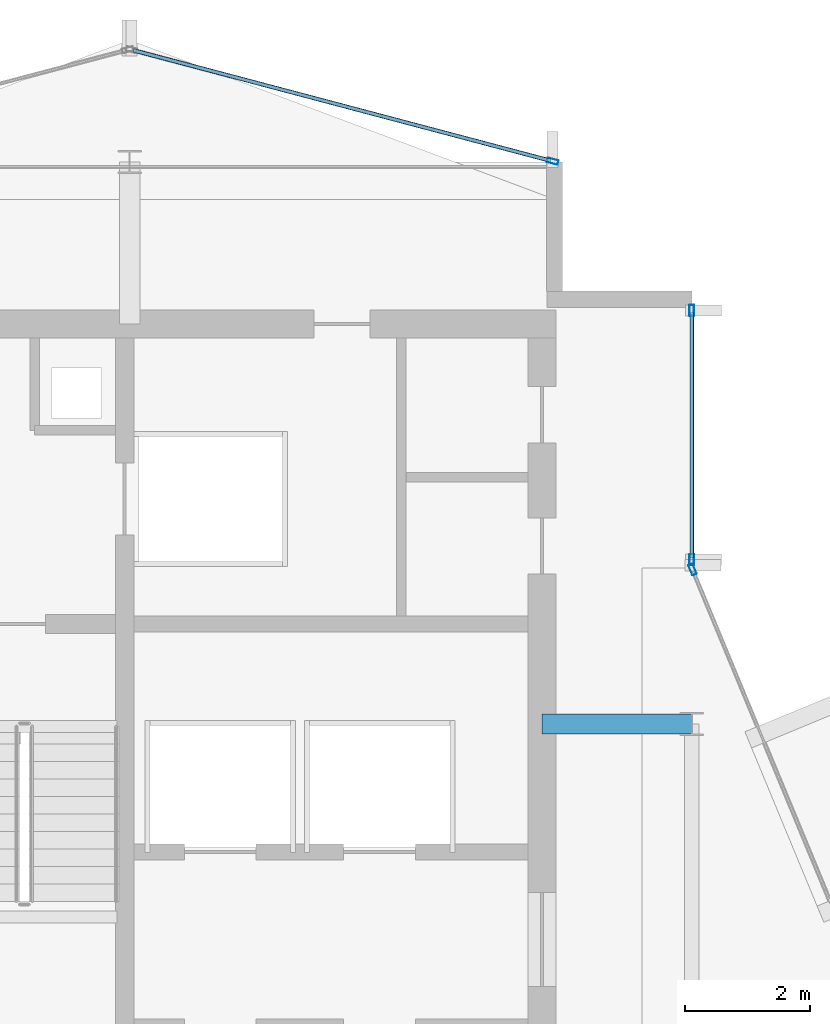
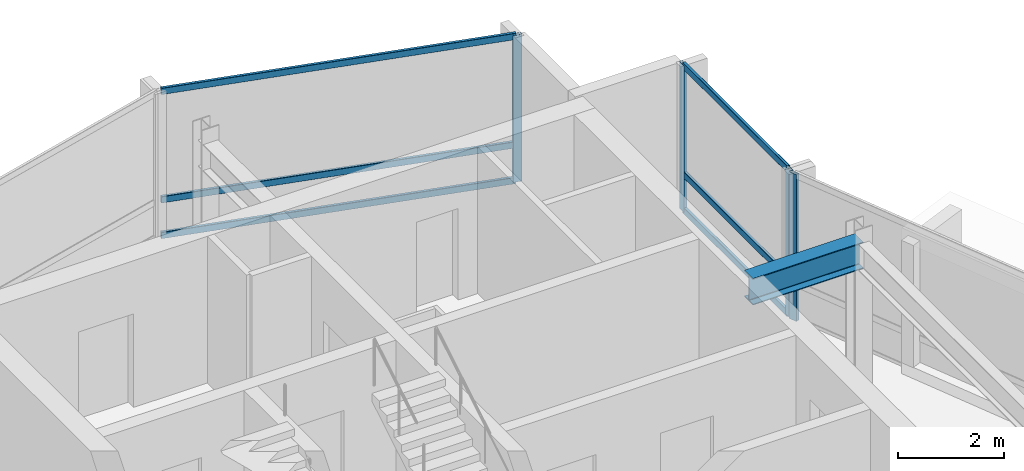
# One storey, part 12 of 19: 10 members, 1 beam, 3 elements without a shape of their own.
"""IFC4 building model written with IfcOpenShell, lengths in metres."""

import ifcopenshell
import ifcopenshell.guid

model = None  # the IFC model being written
_history = None  # IfcOwnerHistory: only IFC2X3 demands one
_inside = {}  # id of a spatial element -> (the spatial element, [elements in it])
_under = {}  # id of a project, library or spatial element -> (it, [spatial elements below it])
_declared = {}  # id of a project -> (the project, [libraries it declares])
_typed = {}  # id of a type object -> (the type object, [elements of that type])
_made_of = {}  # id of a material, layer set ... -> (it, [elements and type objects made of it])


def new_model(schema):
    """Start an empty IFC model of exactly this schema.

    Asked for "IFC4X3", IfcOpenShell would pick the latest addendum, in which some entities
    have other attributes; the version numbers below select the first issue.
    IFC2X3 requires an IfcOwnerHistory on every rooted entity: one is made here for all.
    """
    global model, _history
    if schema == "IFC4X3":
        model = ifcopenshell.file(schema_version=(4, 3, 0, 0))
    else:
        model = ifcopenshell.file(schema=schema)
    _inside.clear()
    _under.clear()
    _declared.clear()
    _typed.clear()
    _made_of.clear()
    _history = None
    if model.schema == "IFC2X3":
        org = make("IfcOrganization", Name="unknown")
        user = make(
            "IfcPersonAndOrganization",
            ThePerson=make("IfcPerson", FamilyName="unknown"),
            TheOrganization=org,
        )
        app = make(
            "IfcApplication",
            ApplicationDeveloper=org,
            Version="unknown",
            ApplicationFullName="unknown",
            ApplicationIdentifier="unknown",
        )
        _history = make(
            "IfcOwnerHistory",
            OwningUser=user,
            OwningApplication=app,
            ChangeAction="ADDED",
            CreationDate=0,
        )
    return model


def make(cls, **values):
    """One entity of the class cls with the attributes given. An attribute that is None is left unset."""
    return model.create_entity(
        cls, **{name: value for name, value in values.items() if value is not None}
    )


def rooted(cls, **values):
    """An entity with a GlobalId (a new one), such as an element, a storey or a relation."""
    return make(cls, GlobalId=ifcopenshell.guid.new(), OwnerHistory=_history, **values)


def si_unit(unit_type, name, prefix=None):
    """IfcSIUnit, for example si_unit("LENGTHUNIT", "METRE", prefix="MILLI")."""
    return make("IfcSIUnit", UnitType=unit_type, Prefix=prefix, Name=name)


def assignment(units):
    """IfcUnitAssignment: the units of a project."""
    return None if units is None else make("IfcUnitAssignment", Units=units)


def point(xyz):
    """IfcCartesianPoint."""
    return None if xyz is None else make("IfcCartesianPoint", Coordinates=xyz)


def direction(xyz):
    """IfcDirection."""
    return None if xyz is None else make("IfcDirection", DirectionRatios=xyz)


def frame(location, z_axis=None, x_axis=None):
    """IfcAxis2Placement3D, a coordinate frame: its origin and axes. An axis left out is left unset."""
    return make(
        "IfcAxis2Placement3D",
        Location=point(location),
        Axis=direction(z_axis),
        RefDirection=direction(x_axis),
    )


def frame_2d(location, x_axis=None):
    """IfcAxis2Placement2D, a coordinate frame in the plane: its origin and x axis."""
    return make(
        "IfcAxis2Placement2D", Location=point(location), RefDirection=direction(x_axis)
    )


def origin():
    """The frame at (0, 0, 0) with its axes left unset."""
    return frame((0.0, 0.0, 0.0))


def origin_2d():
    """The frame at (0, 0) in the plane with its x axis left unset."""
    return frame_2d((0.0, 0.0))


def place(relative_to, where):
    """IfcLocalPlacement: puts the frame where relative to a parent placement (None: the world)."""
    return make(
        "IfcLocalPlacement", PlacementRelTo=relative_to, RelativePlacement=where
    )


def context(
    kind, dimensions, precision=None, world=None, true_north=None, identifier=None
):
    """IfcGeometricRepresentationContext, for example the 3D "Model" context."""
    return make(
        "IfcGeometricRepresentationContext",
        ContextIdentifier=identifier,
        ContextType=kind,
        CoordinateSpaceDimension=dimensions,
        Precision=precision,
        WorldCoordinateSystem=world,
        TrueNorth=true_north,
    )


def subcontext(parent, identifier, kind, view, scale=None):
    """IfcGeometricRepresentationSubContext, for example "Body" below "Model"."""
    return make(
        "IfcGeometricRepresentationSubContext",
        ContextIdentifier=identifier,
        ContextType=kind,
        ParentContext=parent,
        TargetScale=scale,
        TargetView=view,
    )


def project(units=None, contexts=None):
    """IfcProject with its units and contexts."""
    return rooted(
        "IfcProject",
        Name="project",
        RepresentationContexts=contexts,
        UnitsInContext=assignment(units),
    )


def spatial(cls, under=None, at=None, **own):
    """A site, building, storey or space (cls), placed at a placement, below another one or the project."""
    s = rooted(cls, ObjectPlacement=at, **own)
    if under is not None:
        _under.setdefault(under.id(), (under, []))[1].append(s)
    return s


def profile(cls, at=None, kind="AREA", **sizes):
    """A parametric profile (cls). Its sizes go by their IFC names, for example OverallWidth=200.0."""
    return make(cls, ProfileType=kind, Position=at, **sizes)


def hollow_rectangle(**sizes):
    """IfcRectangleHollowProfileDef."""
    return profile("IfcRectangleHollowProfileDef", **sizes)


def i_section(**sizes):
    """IfcIShapeProfileDef."""
    return profile("IfcIShapeProfileDef", **sizes)


def extrude(swept, where, along, depth):
    """IfcExtrudedAreaSolid: the profile swept, set in the frame where, extruded along a direction by depth."""
    return make(
        "IfcExtrudedAreaSolid",
        SweptArea=swept,
        Position=where,
        ExtrudedDirection=direction(along),
        Depth=depth,
    )


def shape(context_of_items, identifier, shape_type, items):
    """IfcShapeRepresentation: the items that make up one representation, for example the "Body"."""
    return make(
        "IfcShapeRepresentation",
        ContextOfItems=context_of_items,
        RepresentationIdentifier=identifier,
        RepresentationType=shape_type,
        Items=items,
    )


def material(Name=None, Category=None):
    """IfcMaterial."""
    return make("IfcMaterial", Name=Name, Category=Category)


def layer(
    of_material, thickness, ventilated=None, Name=None, Category=None, Priority=None
):
    """IfcMaterialLayer: one layer of a wall or slab, of a material (None: an air gap)."""
    return make(
        "IfcMaterialLayer",
        Material=of_material,
        LayerThickness=thickness,
        IsVentilated=ventilated,
        Name=Name,
        Category=Category,
        Priority=Priority,
    )


def layer_set(layers, Name=None):
    """IfcMaterialLayerSet."""
    return make("IfcMaterialLayerSet", MaterialLayers=layers, LayerSetName=Name)


def material_profile(
    of_material, cross_section, Name=None, Category=None, Priority=None
):
    """IfcMaterialProfile: a cross section and its material."""
    return make(
        "IfcMaterialProfile",
        Name=Name,
        Material=of_material,
        Profile=cross_section,
        Priority=Priority,
        Category=Category,
    )


def profile_set(profiles, Name=None, composite=None):
    """IfcMaterialProfileSet."""
    return make(
        "IfcMaterialProfileSet",
        Name=Name,
        MaterialProfiles=profiles,
        CompositeProfile=composite,
    )


def made_of(thing, what):
    """Note that an element or type object is made of a material, layer set ...; save() writes the relation."""
    if what is not None:
        _made_of.setdefault(what.id(), (what, []))[1].append(thing)
    return thing


def type_object(cls, material=None, **own):
    """A type object (cls), such as IfcWallType, which elements share."""
    return made_of(rooted(cls, **own), material)


def element(
    cls,
    number,
    at=None,
    inside=None,
    cuts=None,
    type_object=None,
    material=None,
    context=None,
    identifier="Body",
    shape_type=None,
    held_by="IfcProductDefinitionShape",
    body=None,
    shapes=None,
    **own,
):
    """One element of the class cls, such as IfcWall. Its Tag is "e" and its number.

    at: its placement. inside: the storey or other place that contains it. cuts: it is an
    opening in that element (IfcRelVoidsElement). A single representation is given by context,
    identifier, shape_type and body (its items); several are given by shapes. held_by: the class
    of the entity that holds the representations. save() writes the other relations.
    """
    e = rooted(cls, Tag="e%d" % number, ObjectPlacement=at, **own)
    if body is not None:
        shapes = [shape(context, identifier, shape_type, body)]
    if shapes is not None:
        e.Representation = make(held_by, Representations=shapes)
    if inside is not None:
        _inside.setdefault(inside.id(), (inside, []))[1].append(e)
    if cuts is not None:
        rooted(
            "IfcRelVoidsElement", RelatingBuildingElement=cuts, RelatedOpeningElement=e
        )
    if type_object is not None:
        _typed.setdefault(type_object.id(), (type_object, []))[1].append(e)
    return made_of(e, material)


def aggregate(whole, parts):
    """IfcRelAggregates: a whole, such as a stair, and the parts it consists of."""
    return rooted("IfcRelAggregates", RelatingObject=whole, RelatedObjects=parts)


def save(model, path):
    """Write the relations noted so far, then the file.

    IfcRelAggregates (storeys below a building ...), IfcRelContainedInSpatialStructure (elements
    in a storey), IfcRelDefinesByType, IfcRelAssociatesMaterial and IfcRelDeclares: one each for
    every whole, place, type object, material and project.
    """
    for whole, parts in _under.values():
        aggregate(whole, parts)
    for where, things in _inside.values():
        rooted(
            "IfcRelContainedInSpatialStructure",
            RelatedElements=things,
            RelatingStructure=where,
        )
    for kind, things in _typed.values():
        rooted("IfcRelDefinesByType", RelatedObjects=things, RelatingType=kind)
    for what, things in _made_of.values():
        rooted("IfcRelAssociatesMaterial", RelatedObjects=things, RelatingMaterial=what)
    for by, libraries in _declared.values():
        rooted("IfcRelDeclares", RelatingContext=by, RelatedDefinitions=libraries)
    model.write(path)


model = new_model("IFC4")

# Units and contexts
model_context = context("Model", 3, precision=1e-05, world=origin(), true_north=direction((0.0, 1.0)))
body_context = subcontext(model_context, "Body", "Model", "MODEL_VIEW")
ifc_project = project(units=[si_unit("LENGTHUNIT", "METRE"), si_unit("AREAUNIT", "SQUARE_METRE"), si_unit("VOLUMEUNIT", "CUBIC_METRE"), si_unit("PLANEANGLEUNIT", "RADIAN"), si_unit("MASSUNIT", "GRAM", prefix="KILO")], contexts=[model_context])

# Site, building, storey
site_placement = place(None, origin())
site = spatial("IfcSite", under=ifc_project, at=site_placement, CompositionType="ELEMENT")
building_placement = place(site_placement, origin())
building = spatial("IfcBuilding", under=site, at=building_placement, Name="Solvaryn Broadcast Tower", CompositionType="ELEMENT")
storey_placement = place(building_placement, frame((0.0, 0.0, 293.699951171875)))
storey = spatial("IfcBuildingStorey", under=building, at=storey_placement, Name="L74", CompositionType="ELEMENT", Elevation=293.699951171875)

# Beam
ifc_material_1 = material(Name="Steel ASTM A992 Grade 50", Category="steel")
ifc_material_profile_1 = material_profile(ifc_material_1, i_section(OverallWidth=0.323974609375, OverallDepth=0.611083984375, WebThickness=0.0126953125, FlangeThickness=0.01904296875, FilletRadius=0.014892578125, at=origin_2d()))
ifc_profile_set_1 = profile_set([ifc_material_profile_1], Name="Steel ASTM A992 Grade 50")
beam_type = type_object("IfcBeamType", Name="BM-B1-W24X104", PredefinedType="BEAM", material=ifc_profile_set_1)
beam_placement = place(storey_placement, frame((24.60009765625, 36.0, 3.064453125), z_axis=(1.0, 0.0, 0.0), x_axis=(0.0, 1.0, 0.0)))
element("IfcBeam", 1, at=beam_placement, inside=storey, type_object=beam_type, Name="L74 Core Tie Beam CTW2", PredefinedType="BEAM", context=body_context, shape_type="SweptSolid", body=[
    extrude(i_section(OverallWidth=0.323974609375, OverallDepth=0.611083984375, WebThickness=0.0126953125, FlangeThickness=0.01904296875, FilletRadius=0.014892578125, at=origin_2d()), origin(), (0.0, 0.0, 1.0), 2.39990234375),
])

# Curtain wall, members
ifc_material_2 = material(Name="Aluminium and Terracotta Unitised Curtain Wall", Category="masonry")
ifc_layer = layer(ifc_material_2, 0.199951171875)
ifc_layer_set = layer_set([ifc_layer], Name="CW-SYS2-LOWMID")
curtain_wall_type = type_object("IfcCurtainWallType", Name="CW-SYS2-LOWMID", PredefinedType="NOTDEFINED", material=ifc_layer_set)
curtain_wall_1_placement = place(storey_placement, origin())
curtain_wall_1 = element("IfcCurtainWall", 2, at=curtain_wall_1_placement, inside=storey, type_object=curtain_wall_type, Name="L74 Curtain Wall IV", PredefinedType="NOTDEFINED")
ifc_material_3 = material(Name="Anodised Aluminium 6063-T6", Category="aluminium")
ifc_material_profile_2 = material_profile(ifc_material_3, hollow_rectangle(XDim=0.074951171875, YDim=0.179931640625, WallThickness=0.00390625, InnerFilletRadius=0.00390625, OuterFilletRadius=0.008056640625, at=origin_2d()))
ifc_profile_set_2 = profile_set([ifc_material_profile_2], Name="Anodised Aluminium 6063-T6")
member_type_1 = type_object("IfcMemberType", Name="CW-MUL-180", PredefinedType="MULLION", material=ifc_profile_set_2)
member_1_placement = place(storey_placement, frame((27.0, 42.6201171875, 0.0), z_axis=(0.0, 0.0, 1.0), x_axis=(1.0, 0.0, 0.0)))
member_1 = element("IfcMember", 3, at=member_1_placement, type_object=member_type_1, Name="CWS2 mullion 1", PredefinedType="MULLION", context=body_context, shape_type="SweptSolid", body=[
    extrude(hollow_rectangle(XDim=0.074951171875, YDim=0.179931640625, WallThickness=0.00390625, InnerFilletRadius=0.00390625, OuterFilletRadius=0.008056640625, at=origin_2d()), origin(), (0.0, 0.0, 1.0), 3.3701171875),
])
member_2_placement = place(storey_placement, frame((27.0, 38.6298828125, 0.0), z_axis=(0.0, 0.0, 1.0), x_axis=(1.0, 0.0, 0.0)))
member_2 = element("IfcMember", 4, at=member_2_placement, type_object=member_type_1, Name="CWS2 mullion 2", PredefinedType="MULLION", context=body_context, shape_type="SweptSolid", body=[
    extrude(hollow_rectangle(XDim=0.074951171875, YDim=0.179931640625, WallThickness=0.00390625, InnerFilletRadius=0.00390625, OuterFilletRadius=0.008056640625, at=origin_2d()), origin(), (0.0, 0.0, 1.0), 3.3701171875),
])

# Curtain wall, member
curtain_wall_2_placement = place(storey_placement, origin())
curtain_wall_2 = element("IfcCurtainWall", 5, at=curtain_wall_2_placement, inside=storey, type_object=curtain_wall_type, Name="L74 Curtain Wall CN2", PredefinedType="NOTDEFINED")
member_3_placement = place(storey_placement, frame((27.011474609375, 38.47216796875, 0.0), z_axis=(0.0, 0.0, 1.0), x_axis=(-0.923894983957, -0.382646127145, 0.0)))
member_3 = element("IfcMember", 6, at=member_3_placement, type_object=member_type_1, Name="CWS2 mullion 2", PredefinedType="MULLION", context=body_context, shape_type="SweptSolid", body=[
    extrude(hollow_rectangle(XDim=0.074951171875, YDim=0.179931640625, WallThickness=0.00390625, InnerFilletRadius=0.00390625, OuterFilletRadius=0.008056640625, at=origin_2d()), origin(), (0.0, 0.0, 1.0), 3.3701171875),
])
aggregate(curtain_wall_2, [member_3])

curtain_wall_3_placement = place(storey_placement, origin())
curtain_wall_3 = element("IfcCurtainWall", 7, at=curtain_wall_3_placement, inside=storey, type_object=curtain_wall_type, Name="L74 Curtain Wall NT1", PredefinedType="NOTDEFINED")
member_4_placement = place(storey_placement, frame((24.77099609375, 45.007568359375, 0.0), z_axis=(0.0, 0.0, 1.0), x_axis=(-0.25589256031, -0.966705227863, 0.0)))
member_4 = element("IfcMember", 8, at=member_4_placement, type_object=member_type_1, Name="CWS2 mullion 1", PredefinedType="MULLION", context=body_context, shape_type="SweptSolid", body=[
    extrude(hollow_rectangle(XDim=0.074951171875, YDim=0.179931640625, WallThickness=0.00390625, InnerFilletRadius=0.00390625, OuterFilletRadius=0.008056640625, at=origin_2d()), origin(), (0.0, 0.0, 1.0), 3.3701171875),
])

# Member
ifc_material_4 = material(Name="Anodised Aluminium 6063-T6", Category="aluminium")
ifc_material_profile_3 = material_profile(ifc_material_4, hollow_rectangle(XDim=0.06494140625, YDim=0.14990234375, WallThickness=0.00390625, InnerFilletRadius=0.00390625, OuterFilletRadius=0.008056640625, at=origin_2d()))
ifc_profile_set_3 = profile_set([ifc_material_profile_3], Name="Anodised Aluminium 6063-T6")
member_type_2 = type_object("IfcMemberType", Name="CW-TRN-150", PredefinedType="USERDEFINED", material=ifc_profile_set_3)
member_5_placement = place(storey_placement, frame((27.0, 42.590087890625, 0.030029296875), z_axis=(0.0, -1.0, 0.0), x_axis=(1.0, 0.0, 0.0)))
member_5 = element("IfcMember", 9, at=member_5_placement, type_object=member_type_2, Name="CWS2 transom 1.1", ObjectType="TRANSOM", PredefinedType="USERDEFINED", context=body_context, shape_type="SweptSolid", body=[
    extrude(hollow_rectangle(XDim=0.06494140625, YDim=0.14990234375, WallThickness=0.00390625, InnerFilletRadius=0.00390625, OuterFilletRadius=0.008056640625, at=origin_2d()), origin(), (0.0, 0.0, 1.0), 3.93017578125),
])

member_6_placement = place(storey_placement, frame((27.0, 42.590087890625, 0.85009765625), z_axis=(0.0, -1.0, 0.0), x_axis=(1.0, 0.0, 0.0)))
member_6 = element("IfcMember", 10, at=member_6_placement, type_object=member_type_2, Name="CWS2 transom 1.2", ObjectType="TRANSOM", PredefinedType="USERDEFINED", context=body_context, shape_type="SweptSolid", body=[
    extrude(hollow_rectangle(XDim=0.06494140625, YDim=0.14990234375, WallThickness=0.00390625, InnerFilletRadius=0.00390625, OuterFilletRadius=0.008056640625, at=origin_2d()), origin(), (0.0, 0.0, 1.0), 3.93017578125),
])

member_7_placement = place(storey_placement, frame((27.0, 42.590087890625, 3.340087890625), z_axis=(0.0, -1.0, 0.0), x_axis=(1.0, 0.0, 0.0)))
member_7 = element("IfcMember", 11, at=member_7_placement, type_object=member_type_2, Name="CWS2 transom 1.3", ObjectType="TRANSOM", PredefinedType="USERDEFINED", context=body_context, shape_type="SweptSolid", body=[
    extrude(hollow_rectangle(XDim=0.06494140625, YDim=0.14990234375, WallThickness=0.00390625, InnerFilletRadius=0.00390625, OuterFilletRadius=0.008056640625, at=origin_2d()), origin(), (0.0, 0.0, 1.0), 3.93017578125),
])

aggregate(curtain_wall_1, [member_1, member_2, member_5, member_6, member_7])

member_8_placement = place(storey_placement, frame((24.741943359375, 45.015380859375, 0.030029296875), z_axis=(-0.966703943301, 0.255897413051, 0.0), x_axis=(-0.255897413051, -0.966703943301, 0.0)))
member_8 = element("IfcMember", 12, at=member_8_placement, type_object=member_type_2, Name="CWS2 transom 1.1", ObjectType="TRANSOM", PredefinedType="USERDEFINED", context=body_context, shape_type="SweptSolid", body=[
    extrude(hollow_rectangle(XDim=0.06494140625, YDim=0.14990234375, WallThickness=0.00390625, InnerFilletRadius=0.00390625, OuterFilletRadius=0.008056640625, at=origin_2d()), origin(), (0.0, 0.0, 1.0), 6.9140625),
])

member_9_placement = place(storey_placement, frame((24.741943359375, 45.015380859375, 0.85009765625), z_axis=(-0.966703943301, 0.255897413051, 0.0), x_axis=(-0.255897413051, -0.966703943301, 0.0)))
member_9 = element("IfcMember", 13, at=member_9_placement, type_object=member_type_2, Name="CWS2 transom 1.2", ObjectType="TRANSOM", PredefinedType="USERDEFINED", context=body_context, shape_type="SweptSolid", body=[
    extrude(hollow_rectangle(XDim=0.06494140625, YDim=0.14990234375, WallThickness=0.00390625, InnerFilletRadius=0.00390625, OuterFilletRadius=0.008056640625, at=origin_2d()), origin(), (0.0, 0.0, 1.0), 6.9140625),
])

member_10_placement = place(storey_placement, frame((24.741943359375, 45.015380859375, 3.340087890625), z_axis=(-0.966703943301, 0.255897413051, 0.0), x_axis=(-0.255897413051, -0.966703943301, 0.0)))
member_10 = element("IfcMember", 14, at=member_10_placement, type_object=member_type_2, Name="CWS2 transom 1.3", ObjectType="TRANSOM", PredefinedType="USERDEFINED", context=body_context, shape_type="SweptSolid", body=[
    extrude(hollow_rectangle(XDim=0.06494140625, YDim=0.14990234375, WallThickness=0.00390625, InnerFilletRadius=0.00390625, OuterFilletRadius=0.008056640625, at=origin_2d()), origin(), (0.0, 0.0, 1.0), 6.9140625),
])

aggregate(curtain_wall_3, [member_4, member_8, member_9, member_10])

save(model, "model.ifc")
